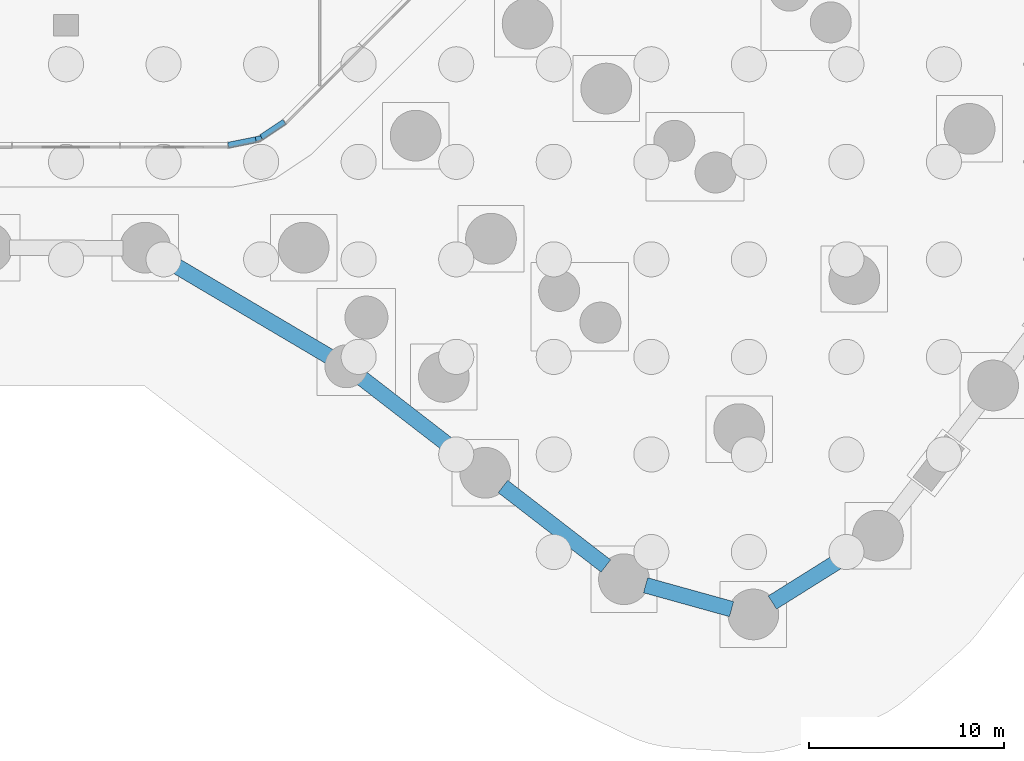
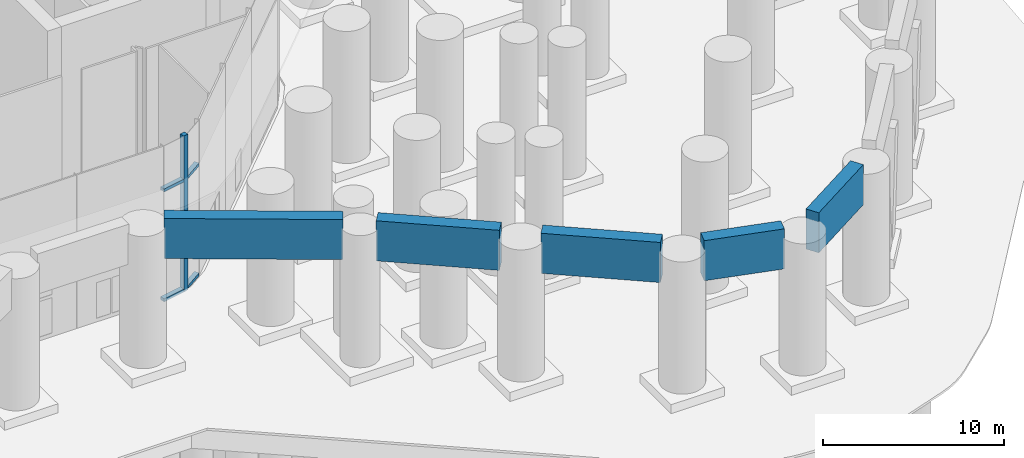
# One storey, part 11 of 31: 5 beams, 5 members, 2 elements without a shape of their own.
"""IFC4 building model written with IfcOpenShell, lengths in metres."""

import ifcopenshell
import ifcopenshell.guid

model = None  # the IFC model being written
_history = None  # IfcOwnerHistory: only IFC2X3 demands one
_inside = {}  # id of a spatial element -> (the spatial element, [elements in it])
_under = {}  # id of a project, library or spatial element -> (it, [spatial elements below it])
_declared = {}  # id of a project -> (the project, [libraries it declares])
_typed = {}  # id of a type object -> (the type object, [elements of that type])
_made_of = {}  # id of a material, layer set ... -> (it, [elements and type objects made of it])


def new_model(schema):
    """Start an empty IFC model of exactly this schema.

    Asked for "IFC4X3", IfcOpenShell would pick the latest addendum, in which some entities
    have other attributes; the version numbers below select the first issue.
    IFC2X3 requires an IfcOwnerHistory on every rooted entity: one is made here for all.
    """
    global model, _history
    if schema == "IFC4X3":
        model = ifcopenshell.file(schema_version=(4, 3, 0, 0))
    else:
        model = ifcopenshell.file(schema=schema)
    _inside.clear()
    _under.clear()
    _declared.clear()
    _typed.clear()
    _made_of.clear()
    _history = None
    if model.schema == "IFC2X3":
        org = make("IfcOrganization", Name="unknown")
        user = make(
            "IfcPersonAndOrganization",
            ThePerson=make("IfcPerson", FamilyName="unknown"),
            TheOrganization=org,
        )
        app = make(
            "IfcApplication",
            ApplicationDeveloper=org,
            Version="unknown",
            ApplicationFullName="unknown",
            ApplicationIdentifier="unknown",
        )
        _history = make(
            "IfcOwnerHistory",
            OwningUser=user,
            OwningApplication=app,
            ChangeAction="ADDED",
            CreationDate=0,
        )
    return model


def make(cls, **values):
    """One entity of the class cls with the attributes given. An attribute that is None is left unset."""
    return model.create_entity(
        cls, **{name: value for name, value in values.items() if value is not None}
    )


def rooted(cls, **values):
    """An entity with a GlobalId (a new one), such as an element, a storey or a relation."""
    return make(cls, GlobalId=ifcopenshell.guid.new(), OwnerHistory=_history, **values)


def si_unit(unit_type, name, prefix=None):
    """IfcSIUnit, for example si_unit("LENGTHUNIT", "METRE", prefix="MILLI")."""
    return make("IfcSIUnit", UnitType=unit_type, Prefix=prefix, Name=name)


def assignment(units):
    """IfcUnitAssignment: the units of a project."""
    return None if units is None else make("IfcUnitAssignment", Units=units)


def point(xyz):
    """IfcCartesianPoint."""
    return None if xyz is None else make("IfcCartesianPoint", Coordinates=xyz)


def direction(xyz):
    """IfcDirection."""
    return None if xyz is None else make("IfcDirection", DirectionRatios=xyz)


def frame(location, z_axis=None, x_axis=None):
    """IfcAxis2Placement3D, a coordinate frame: its origin and axes. An axis left out is left unset."""
    return make(
        "IfcAxis2Placement3D",
        Location=point(location),
        Axis=direction(z_axis),
        RefDirection=direction(x_axis),
    )


def frame_2d(location, x_axis=None):
    """IfcAxis2Placement2D, a coordinate frame in the plane: its origin and x axis."""
    return make(
        "IfcAxis2Placement2D", Location=point(location), RefDirection=direction(x_axis)
    )


def origin():
    """The frame at (0, 0, 0) with its axes left unset."""
    return frame((0.0, 0.0, 0.0))


def origin_2d():
    """The frame at (0, 0) in the plane with its x axis left unset."""
    return frame_2d((0.0, 0.0))


def place(relative_to, where):
    """IfcLocalPlacement: puts the frame where relative to a parent placement (None: the world)."""
    return make(
        "IfcLocalPlacement", PlacementRelTo=relative_to, RelativePlacement=where
    )


def context(
    kind, dimensions, precision=None, world=None, true_north=None, identifier=None
):
    """IfcGeometricRepresentationContext, for example the 3D "Model" context."""
    return make(
        "IfcGeometricRepresentationContext",
        ContextIdentifier=identifier,
        ContextType=kind,
        CoordinateSpaceDimension=dimensions,
        Precision=precision,
        WorldCoordinateSystem=world,
        TrueNorth=true_north,
    )


def subcontext(parent, identifier, kind, view, scale=None):
    """IfcGeometricRepresentationSubContext, for example "Body" below "Model"."""
    return make(
        "IfcGeometricRepresentationSubContext",
        ContextIdentifier=identifier,
        ContextType=kind,
        ParentContext=parent,
        TargetScale=scale,
        TargetView=view,
    )


def project(units=None, contexts=None):
    """IfcProject with its units and contexts."""
    return rooted(
        "IfcProject",
        Name="project",
        RepresentationContexts=contexts,
        UnitsInContext=assignment(units),
    )


def spatial(cls, under=None, at=None, **own):
    """A site, building, storey or space (cls), placed at a placement, below another one or the project."""
    s = rooted(cls, ObjectPlacement=at, **own)
    if under is not None:
        _under.setdefault(under.id(), (under, []))[1].append(s)
    return s


def profile(cls, at=None, kind="AREA", **sizes):
    """A parametric profile (cls). Its sizes go by their IFC names, for example OverallWidth=200.0."""
    return make(cls, ProfileType=kind, Position=at, **sizes)


def rectangle(**sizes):
    """IfcRectangleProfileDef."""
    return profile("IfcRectangleProfileDef", **sizes)


def extrude(swept, where, along, depth):
    """IfcExtrudedAreaSolid: the profile swept, set in the frame where, extruded along a direction by depth."""
    return make(
        "IfcExtrudedAreaSolid",
        SweptArea=swept,
        Position=where,
        ExtrudedDirection=direction(along),
        Depth=depth,
    )


def shape(context_of_items, identifier, shape_type, items):
    """IfcShapeRepresentation: the items that make up one representation, for example the "Body"."""
    return make(
        "IfcShapeRepresentation",
        ContextOfItems=context_of_items,
        RepresentationIdentifier=identifier,
        RepresentationType=shape_type,
        Items=items,
    )


def material(Name=None, Category=None):
    """IfcMaterial."""
    return make("IfcMaterial", Name=Name, Category=Category)


def material_profile(
    of_material, cross_section, Name=None, Category=None, Priority=None
):
    """IfcMaterialProfile: a cross section and its material."""
    return make(
        "IfcMaterialProfile",
        Name=Name,
        Material=of_material,
        Profile=cross_section,
        Priority=Priority,
        Category=Category,
    )


def profile_set(profiles, Name=None, composite=None):
    """IfcMaterialProfileSet."""
    return make(
        "IfcMaterialProfileSet",
        Name=Name,
        MaterialProfiles=profiles,
        CompositeProfile=composite,
    )


def made_of(thing, what):
    """Note that an element or type object is made of a material, layer set ...; save() writes the relation."""
    if what is not None:
        _made_of.setdefault(what.id(), (what, []))[1].append(thing)
    return thing


def type_object(cls, material=None, **own):
    """A type object (cls), such as IfcWallType, which elements share."""
    return made_of(rooted(cls, **own), material)


def element(
    cls,
    number,
    at=None,
    inside=None,
    cuts=None,
    type_object=None,
    material=None,
    context=None,
    identifier="Body",
    shape_type=None,
    held_by="IfcProductDefinitionShape",
    body=None,
    shapes=None,
    **own,
):
    """One element of the class cls, such as IfcWall. Its Tag is "e" and its number.

    at: its placement. inside: the storey or other place that contains it. cuts: it is an
    opening in that element (IfcRelVoidsElement). A single representation is given by context,
    identifier, shape_type and body (its items); several are given by shapes. held_by: the class
    of the entity that holds the representations. save() writes the other relations.
    """
    e = rooted(cls, Tag="e%d" % number, ObjectPlacement=at, **own)
    if body is not None:
        shapes = [shape(context, identifier, shape_type, body)]
    if shapes is not None:
        e.Representation = make(held_by, Representations=shapes)
    if inside is not None:
        _inside.setdefault(inside.id(), (inside, []))[1].append(e)
    if cuts is not None:
        rooted(
            "IfcRelVoidsElement", RelatingBuildingElement=cuts, RelatedOpeningElement=e
        )
    if type_object is not None:
        _typed.setdefault(type_object.id(), (type_object, []))[1].append(e)
    return made_of(e, material)


def aggregate(whole, parts):
    """IfcRelAggregates: a whole, such as a stair, and the parts it consists of."""
    return rooted("IfcRelAggregates", RelatingObject=whole, RelatedObjects=parts)


def save(model, path):
    """Write the relations noted so far, then the file.

    IfcRelAggregates (storeys below a building ...), IfcRelContainedInSpatialStructure (elements
    in a storey), IfcRelDefinesByType, IfcRelAssociatesMaterial and IfcRelDeclares: one each for
    every whole, place, type object, material and project.
    """
    for whole, parts in _under.values():
        aggregate(whole, parts)
    for where, things in _inside.values():
        rooted(
            "IfcRelContainedInSpatialStructure",
            RelatedElements=things,
            RelatingStructure=where,
        )
    for kind, things in _typed.values():
        rooted("IfcRelDefinesByType", RelatedObjects=things, RelatingType=kind)
    for what, things in _made_of.values():
        rooted("IfcRelAssociatesMaterial", RelatedObjects=things, RelatingMaterial=what)
    for by, libraries in _declared.values():
        rooted("IfcRelDeclares", RelatingContext=by, RelatedDefinitions=libraries)
    model.write(path)


model = new_model("IFC4")

# Units and contexts
model_context = context("Model", 3, precision=1e-05, world=origin(), true_north=direction((0.0, 1.0)))
body_context = subcontext(model_context, "Body", "Model", "MODEL_VIEW")
ifc_project = project(units=[si_unit("LENGTHUNIT", "METRE"), si_unit("AREAUNIT", "SQUARE_METRE"), si_unit("VOLUMEUNIT", "CUBIC_METRE"), si_unit("PLANEANGLEUNIT", "RADIAN"), si_unit("MASSUNIT", "GRAM", prefix="KILO")], contexts=[model_context])

# Site, building, storey
site_placement = place(None, origin())
site = spatial("IfcSite", under=ifc_project, at=site_placement, CompositionType="ELEMENT")
building_placement = place(site_placement, origin())
building = spatial("IfcBuilding", under=site, at=building_placement, Name="Orlundy Tower", CompositionType="ELEMENT")
storey_placement = place(building_placement, origin())
storey = spatial("IfcBuildingStorey", under=building, at=storey_placement, Name="L00", CompositionType="ELEMENT", Elevation=0.0)

# Curtain wall, member
ifc_material_1 = material(Name="Aluminium bronze anodised", Category="aluminium")
curtain_wall_type = type_object("IfcCurtainWallType", Name="CW3 wall", PredefinedType="NOTDEFINED", material=ifc_material_1)
curtain_wall_1_placement = place(storey_placement, origin())
curtain_wall_1 = element("IfcCurtainWall", 1, at=curtain_wall_1_placement, inside=storey, type_object=curtain_wall_type, Name="CW3 run 022", PredefinedType="NOTDEFINED")
ifc_material_2 = material(Name="Aluminium bronze anodised", Category="aluminium")
ifc_material_profile_1 = material_profile(ifc_material_2, rectangle(XDim=0.300048828125, YDim=0.300048828125, at=origin_2d()), Name="CW3 corner post 300x300")
ifc_profile_set_1 = profile_set([ifc_material_profile_1], Name="Aluminium bronze anodised")
member_type_1 = type_object("IfcMemberType", Name="CW3 corner post 300x300", PredefinedType="MULLION", material=ifc_profile_set_1)
member_1_placement = place(storey_placement, frame((9.87353515625, -23.83740234375, -0.39990234375), z_axis=(0.0, 0.0, 1.0), x_axis=(0.19476070508, -0.980850787713, 0.0)))
member_1 = element("IfcMember", 2, at=member_1_placement, type_object=member_type_1, Name="CW3 mullion 37", PredefinedType="MULLION", context=body_context, shape_type="SweptSolid", body=[
    extrude(rectangle(XDim=0.300048828125, YDim=0.300048828125, at=origin_2d()), origin(), (0.0, 0.0, 1.0), 10.5),
])

# Curtain wall, members
curtain_wall_2_placement = place(storey_placement, origin())
curtain_wall_2 = element("IfcCurtainWall", 3, at=curtain_wall_2_placement, inside=storey, type_object=curtain_wall_type, Name="CW3 run 021", PredefinedType="NOTDEFINED")
ifc_material_3 = material(Name="Aluminium bronze anodised", Category="aluminium")
ifc_material_profile_2 = material_profile(ifc_material_3, rectangle(XDim=0.300048828125, YDim=0.199951171875, at=origin_2d()), Name="CW3 transom 300x200")
ifc_profile_set_2 = profile_set([ifc_material_profile_2], Name="Aluminium bronze anodised")
member_type_2 = type_object("IfcMemberType", Name="CW3 transom 300x200", PredefinedType="USERDEFINED", material=ifc_profile_set_2)
member_2_placement = place(storey_placement, frame((11.1953125, -22.95263671875, -0.300048828125), z_axis=(-0.830996786763, -0.556277215414, 0.0), x_axis=(0.556277215414, -0.830996786763, 0.0)))
member_2 = element("IfcMember", 4, at=member_2_placement, type_object=member_type_2, Name="CW3 transom", ObjectType="TRANSOM", PredefinedType="USERDEFINED", context=body_context, shape_type="SweptSolid", body=[
    extrude(rectangle(XDim=0.300048828125, YDim=0.199951171875, at=origin_2d()), origin(), (0.0, 0.0, 1.0), 1.42822265625),
])
member_3_placement = place(storey_placement, frame((11.1953125, -22.95263671875, 7.10009765625), z_axis=(-0.830996786763, -0.556277215414, 0.0), x_axis=(0.556277215414, -0.830996786763, 0.0)))
member_3 = element("IfcMember", 5, at=member_3_placement, type_object=member_type_2, Name="CW3 transom", ObjectType="TRANSOM", PredefinedType="USERDEFINED", context=body_context, shape_type="SweptSolid", body=[
    extrude(rectangle(XDim=0.300048828125, YDim=0.199951171875, at=origin_2d()), origin(), (0.0, 0.0, 1.0), 1.42822265625),
])
aggregate(curtain_wall_2, [member_2, member_3])

# Member
member_4_placement = place(storey_placement, frame((9.726318359375, -23.866455078125, -0.300048828125), z_axis=(-0.980827564308, -0.194877625942, 0.0), x_axis=(0.194877625942, -0.980827564308, 0.0)))
member_4 = element("IfcMember", 6, at=member_4_placement, type_object=member_type_2, Name="CW3 transom", ObjectType="TRANSOM", PredefinedType="USERDEFINED", context=body_context, shape_type="SweptSolid", body=[
    extrude(rectangle(XDim=0.300048828125, YDim=0.199951171875, at=origin_2d()), origin(), (0.0, 0.0, 1.0), 1.440673828125),
])

member_5_placement = place(storey_placement, frame((9.726318359375, -23.866455078125, 7.10009765625), z_axis=(-0.980827564308, -0.194877625942, 0.0), x_axis=(0.194877625942, -0.980827564308, 0.0)))
member_5 = element("IfcMember", 7, at=member_5_placement, type_object=member_type_2, Name="CW3 transom", ObjectType="TRANSOM", PredefinedType="USERDEFINED", context=body_context, shape_type="SweptSolid", body=[
    extrude(rectangle(XDim=0.300048828125, YDim=0.199951171875, at=origin_2d()), origin(), (0.0, 0.0, 1.0), 1.440673828125),
])

aggregate(curtain_wall_1, [member_1, member_4, member_5])

# Beams
ifc_material_4 = material(Name="Concrete C80/95", Category="concrete")
ifc_material_profile_3 = material_profile(ifc_material_4, rectangle(XDim=0.800048828125, YDim=2.699951171875, at=origin_2d()), Name="RC800X2700")
ifc_profile_set_3 = profile_set([ifc_material_profile_3], Name="Concrete C80/95")
beam_type = type_object("IfcBeamType", Name="RC FASCIA BEAM RC800X2700 C80/95", PredefinedType="BEAM", material=ifc_profile_set_3)
beam_1_placement = place(storey_placement, frame((27.670166015625, -45.717529296875, 8.75), z_axis=(-0.791398543442, 0.611300536101, 0.0), x_axis=(-0.611300536101, -0.791398543442, 0.0)))
element("IfcBeam", 8, at=beam_1_placement, inside=storey, type_object=beam_type, Name="Fascia beam 01", PredefinedType="BEAM", context=body_context, shape_type="SweptSolid", body=[
    extrude(rectangle(XDim=0.800048828125, YDim=2.699951171875, at=origin_2d()), origin(), (0.0, 0.0, 1.0), 6.666748046875),
])
beam_2_placement = place(storey_placement, frame((20.556396484375, -40.259521484375, 8.75), z_axis=(-0.791281873765, 0.611451548572, 0.0), x_axis=(-0.611451548572, -0.791281873765, 0.0)))
element("IfcBeam", 9, at=beam_2_placement, inside=storey, type_object=beam_type, Name="Fascia beam 02", PredefinedType="BEAM", context=body_context, shape_type="SweptSolid", body=[
    extrude(rectangle(XDim=0.800048828125, YDim=2.699951171875, at=origin_2d()), origin(), (0.0, 0.0, 1.0), 6.866943359375),
])
beam_3_placement = place(storey_placement, frame((13.545654296875, -35.009521484375, 8.75), z_axis=(-0.860779268888, 0.508978437906, 0.0), x_axis=(-0.508978437906, -0.860779268888, 0.0)))
element("IfcBeam", 10, at=beam_3_placement, inside=storey, type_object=beam_type, Name="Fascia beam 03", PredefinedType="BEAM", context=body_context, shape_type="SweptSolid", body=[
    extrude(rectangle(XDim=0.800048828125, YDim=2.699951171875, at=origin_2d()), origin(), (0.0, 0.0, 1.0), 9.87109375),
])
beam_4_placement = place(storey_placement, frame((40.660400390625, -44.798095703125, 8.75), z_axis=(-0.847329814276, -0.53106702575, 0.0), x_axis=(0.53106702575, -0.847329814276, 0.0)))
element("IfcBeam", 11, at=beam_4_placement, inside=storey, type_object=beam_type, Name="Fascia beam 35", PredefinedType="BEAM", context=body_context, shape_type="SweptSolid", body=[
    extrude(rectangle(XDim=0.800048828125, YDim=2.699951171875, at=origin_2d()), origin(), (0.0, 0.0, 1.0), 5.2578125),
])
beam_5_placement = place(storey_placement, frame((34.11376953125, -47.928955078125, 8.75), z_axis=(-0.963531671246, 0.267594317028, 0.0), x_axis=(-0.267594317028, -0.963531671246, 0.0)))
element("IfcBeam", 12, at=beam_5_placement, inside=storey, type_object=beam_type, Name="Fascia beam 36", PredefinedType="BEAM", context=body_context, shape_type="SweptSolid", body=[
    extrude(rectangle(XDim=0.800048828125, YDim=2.699951171875, at=origin_2d()), origin(), (0.0, 0.0, 1.0), 4.574462890625),
])

save(model, "model.ifc")
